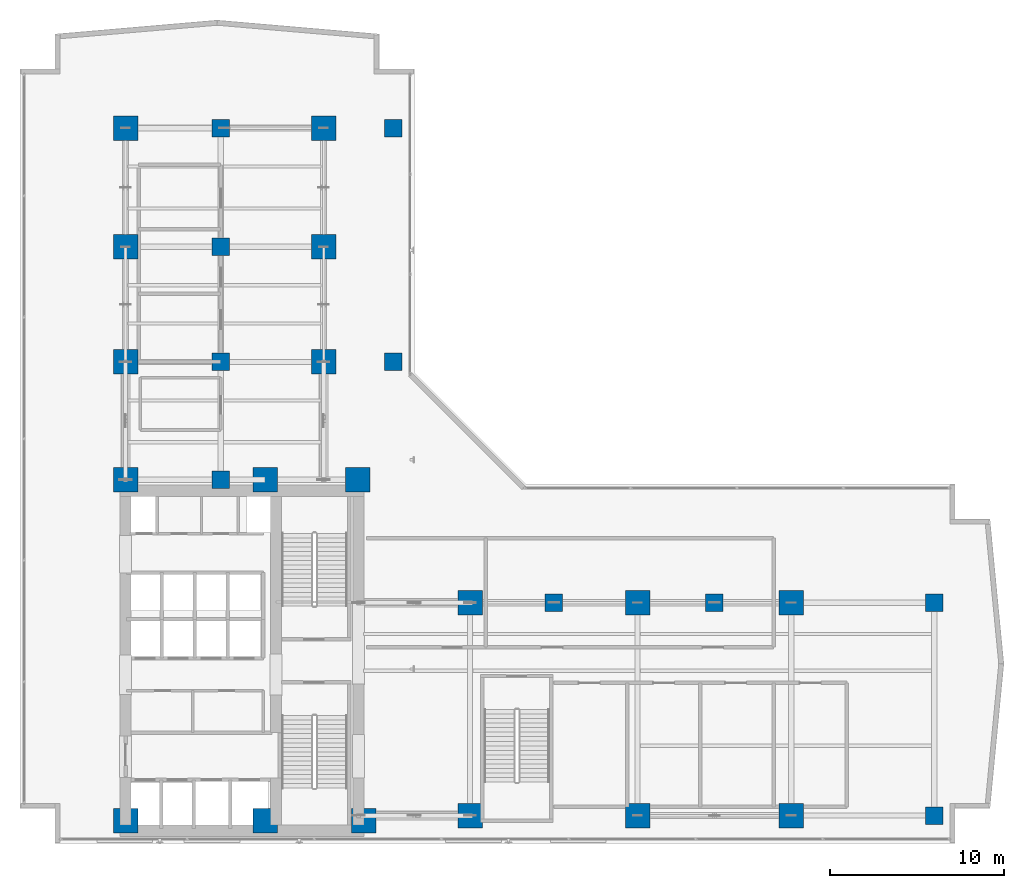
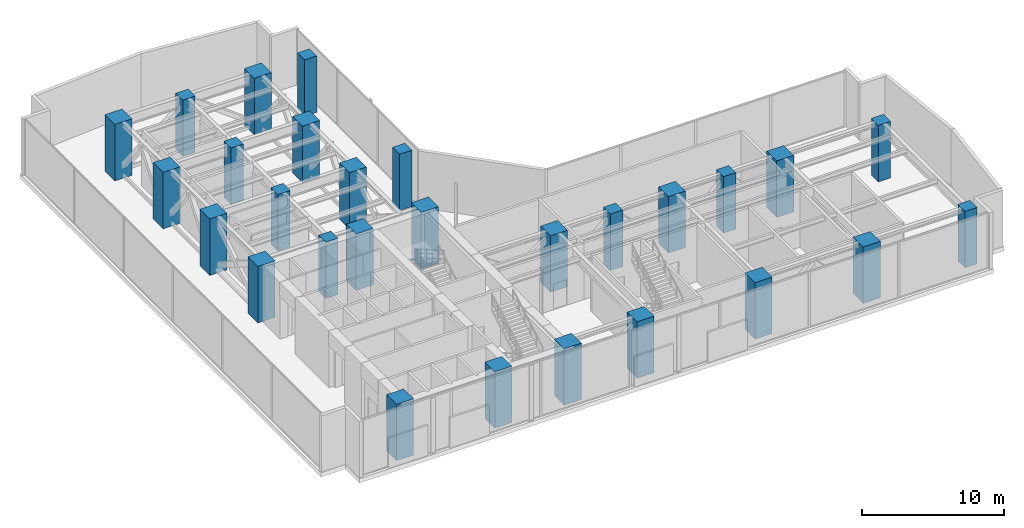
# One storey, part 1 of 37: 28 columns.
"""IFC4 building model written with IfcOpenShell, lengths in metres."""

import ifcopenshell
import ifcopenshell.guid

model = None  # the IFC model being written
_history = None  # IfcOwnerHistory: only IFC2X3 demands one
_inside = {}  # id of a spatial element -> (the spatial element, [elements in it])
_under = {}  # id of a project, library or spatial element -> (it, [spatial elements below it])
_declared = {}  # id of a project -> (the project, [libraries it declares])
_typed = {}  # id of a type object -> (the type object, [elements of that type])
_made_of = {}  # id of a material, layer set ... -> (it, [elements and type objects made of it])


def new_model(schema):
    """Start an empty IFC model of exactly this schema.

    Asked for "IFC4X3", IfcOpenShell would pick the latest addendum, in which some entities
    have other attributes; the version numbers below select the first issue.
    IFC2X3 requires an IfcOwnerHistory on every rooted entity: one is made here for all.
    """
    global model, _history
    if schema == "IFC4X3":
        model = ifcopenshell.file(schema_version=(4, 3, 0, 0))
    else:
        model = ifcopenshell.file(schema=schema)
    _inside.clear()
    _under.clear()
    _declared.clear()
    _typed.clear()
    _made_of.clear()
    _history = None
    if model.schema == "IFC2X3":
        org = make("IfcOrganization", Name="unknown")
        user = make(
            "IfcPersonAndOrganization",
            ThePerson=make("IfcPerson", FamilyName="unknown"),
            TheOrganization=org,
        )
        app = make(
            "IfcApplication",
            ApplicationDeveloper=org,
            Version="unknown",
            ApplicationFullName="unknown",
            ApplicationIdentifier="unknown",
        )
        _history = make(
            "IfcOwnerHistory",
            OwningUser=user,
            OwningApplication=app,
            ChangeAction="ADDED",
            CreationDate=0,
        )
    return model


def make(cls, **values):
    """One entity of the class cls with the attributes given. An attribute that is None is left unset."""
    return model.create_entity(
        cls, **{name: value for name, value in values.items() if value is not None}
    )


def rooted(cls, **values):
    """An entity with a GlobalId (a new one), such as an element, a storey or a relation."""
    return make(cls, GlobalId=ifcopenshell.guid.new(), OwnerHistory=_history, **values)


def si_unit(unit_type, name, prefix=None):
    """IfcSIUnit, for example si_unit("LENGTHUNIT", "METRE", prefix="MILLI")."""
    return make("IfcSIUnit", UnitType=unit_type, Prefix=prefix, Name=name)


def assignment(units):
    """IfcUnitAssignment: the units of a project."""
    return None if units is None else make("IfcUnitAssignment", Units=units)


def point(xyz):
    """IfcCartesianPoint."""
    return None if xyz is None else make("IfcCartesianPoint", Coordinates=xyz)


def direction(xyz):
    """IfcDirection."""
    return None if xyz is None else make("IfcDirection", DirectionRatios=xyz)


def frame(location, z_axis=None, x_axis=None):
    """IfcAxis2Placement3D, a coordinate frame: its origin and axes. An axis left out is left unset."""
    return make(
        "IfcAxis2Placement3D",
        Location=point(location),
        Axis=direction(z_axis),
        RefDirection=direction(x_axis),
    )


def frame_2d(location, x_axis=None):
    """IfcAxis2Placement2D, a coordinate frame in the plane: its origin and x axis."""
    return make(
        "IfcAxis2Placement2D", Location=point(location), RefDirection=direction(x_axis)
    )


def origin():
    """The frame at (0, 0, 0) with its axes left unset."""
    return frame((0.0, 0.0, 0.0))


def origin_2d():
    """The frame at (0, 0) in the plane with its x axis left unset."""
    return frame_2d((0.0, 0.0))


def place(relative_to, where):
    """IfcLocalPlacement: puts the frame where relative to a parent placement (None: the world)."""
    return make(
        "IfcLocalPlacement", PlacementRelTo=relative_to, RelativePlacement=where
    )


def context(
    kind, dimensions, precision=None, world=None, true_north=None, identifier=None
):
    """IfcGeometricRepresentationContext, for example the 3D "Model" context."""
    return make(
        "IfcGeometricRepresentationContext",
        ContextIdentifier=identifier,
        ContextType=kind,
        CoordinateSpaceDimension=dimensions,
        Precision=precision,
        WorldCoordinateSystem=world,
        TrueNorth=true_north,
    )


def subcontext(parent, identifier, kind, view, scale=None):
    """IfcGeometricRepresentationSubContext, for example "Body" below "Model"."""
    return make(
        "IfcGeometricRepresentationSubContext",
        ContextIdentifier=identifier,
        ContextType=kind,
        ParentContext=parent,
        TargetScale=scale,
        TargetView=view,
    )


def project(units=None, contexts=None):
    """IfcProject with its units and contexts."""
    return rooted(
        "IfcProject",
        Name="project",
        RepresentationContexts=contexts,
        UnitsInContext=assignment(units),
    )


def spatial(cls, under=None, at=None, **own):
    """A site, building, storey or space (cls), placed at a placement, below another one or the project."""
    s = rooted(cls, ObjectPlacement=at, **own)
    if under is not None:
        _under.setdefault(under.id(), (under, []))[1].append(s)
    return s


def profile(cls, at=None, kind="AREA", **sizes):
    """A parametric profile (cls). Its sizes go by their IFC names, for example OverallWidth=200.0."""
    return make(cls, ProfileType=kind, Position=at, **sizes)


def rectangle(**sizes):
    """IfcRectangleProfileDef."""
    return profile("IfcRectangleProfileDef", **sizes)


def extrude(swept, where, along, depth):
    """IfcExtrudedAreaSolid: the profile swept, set in the frame where, extruded along a direction by depth."""
    return make(
        "IfcExtrudedAreaSolid",
        SweptArea=swept,
        Position=where,
        ExtrudedDirection=direction(along),
        Depth=depth,
    )


def shape(context_of_items, identifier, shape_type, items):
    """IfcShapeRepresentation: the items that make up one representation, for example the "Body"."""
    return make(
        "IfcShapeRepresentation",
        ContextOfItems=context_of_items,
        RepresentationIdentifier=identifier,
        RepresentationType=shape_type,
        Items=items,
    )


def material(Name=None, Category=None):
    """IfcMaterial."""
    return make("IfcMaterial", Name=Name, Category=Category)


def material_profile(
    of_material, cross_section, Name=None, Category=None, Priority=None
):
    """IfcMaterialProfile: a cross section and its material."""
    return make(
        "IfcMaterialProfile",
        Name=Name,
        Material=of_material,
        Profile=cross_section,
        Priority=Priority,
        Category=Category,
    )


def profile_set(profiles, Name=None, composite=None):
    """IfcMaterialProfileSet."""
    return make(
        "IfcMaterialProfileSet",
        Name=Name,
        MaterialProfiles=profiles,
        CompositeProfile=composite,
    )


def made_of(thing, what):
    """Note that an element or type object is made of a material, layer set ...; save() writes the relation."""
    if what is not None:
        _made_of.setdefault(what.id(), (what, []))[1].append(thing)
    return thing


def type_object(cls, material=None, **own):
    """A type object (cls), such as IfcWallType, which elements share."""
    return made_of(rooted(cls, **own), material)


def element(
    cls,
    number,
    at=None,
    inside=None,
    cuts=None,
    type_object=None,
    material=None,
    context=None,
    identifier="Body",
    shape_type=None,
    held_by="IfcProductDefinitionShape",
    body=None,
    shapes=None,
    **own,
):
    """One element of the class cls, such as IfcWall. Its Tag is "e" and its number.

    at: its placement. inside: the storey or other place that contains it. cuts: it is an
    opening in that element (IfcRelVoidsElement). A single representation is given by context,
    identifier, shape_type and body (its items); several are given by shapes. held_by: the class
    of the entity that holds the representations. save() writes the other relations.
    """
    e = rooted(cls, Tag="e%d" % number, ObjectPlacement=at, **own)
    if body is not None:
        shapes = [shape(context, identifier, shape_type, body)]
    if shapes is not None:
        e.Representation = make(held_by, Representations=shapes)
    if inside is not None:
        _inside.setdefault(inside.id(), (inside, []))[1].append(e)
    if cuts is not None:
        rooted(
            "IfcRelVoidsElement", RelatingBuildingElement=cuts, RelatedOpeningElement=e
        )
    if type_object is not None:
        _typed.setdefault(type_object.id(), (type_object, []))[1].append(e)
    return made_of(e, material)


def aggregate(whole, parts):
    """IfcRelAggregates: a whole, such as a stair, and the parts it consists of."""
    return rooted("IfcRelAggregates", RelatingObject=whole, RelatedObjects=parts)


def save(model, path):
    """Write the relations noted so far, then the file.

    IfcRelAggregates (storeys below a building ...), IfcRelContainedInSpatialStructure (elements
    in a storey), IfcRelDefinesByType, IfcRelAssociatesMaterial and IfcRelDeclares: one each for
    every whole, place, type object, material and project.
    """
    for whole, parts in _under.values():
        aggregate(whole, parts)
    for where, things in _inside.values():
        rooted(
            "IfcRelContainedInSpatialStructure",
            RelatedElements=things,
            RelatingStructure=where,
        )
    for kind, things in _typed.values():
        rooted("IfcRelDefinesByType", RelatedObjects=things, RelatingType=kind)
    for what, things in _made_of.values():
        rooted("IfcRelAssociatesMaterial", RelatedObjects=things, RelatingMaterial=what)
    for by, libraries in _declared.values():
        rooted("IfcRelDeclares", RelatingContext=by, RelatedDefinitions=libraries)
    model.write(path)


model = new_model("IFC4")

# Units and contexts
model_context = context("Model", 3, precision=1e-05, world=origin(), true_north=direction((0.0, 1.0)))
body_context = subcontext(model_context, "Body", "Model", "MODEL_VIEW")
ifc_project = project(units=[si_unit("LENGTHUNIT", "METRE"), si_unit("AREAUNIT", "SQUARE_METRE"), si_unit("VOLUMEUNIT", "CUBIC_METRE"), si_unit("PLANEANGLEUNIT", "RADIAN"), si_unit("MASSUNIT", "GRAM", prefix="KILO")], contexts=[model_context])

# Site, building, storey
site_placement = place(None, origin())
site = spatial("IfcSite", under=ifc_project, at=site_placement, CompositionType="ELEMENT")
building_placement = place(site_placement, origin())
building = spatial("IfcBuilding", under=site, at=building_placement, Name="Kolvaren Waterfront Exchange", CompositionType="ELEMENT")
storey_placement = place(building_placement, frame((0.0, 0.0, 141.10009765625)))
storey = spatial("IfcBuildingStorey", under=building, at=storey_placement, Name="L36", CompositionType="ELEMENT", Elevation=141.10009765625)

# Columns
ifc_material = material(Name="Concrete C60/75", Category="concrete")
ifc_material_profile_1 = material_profile(ifc_material, rectangle(XDim=1.0, YDim=1.0, at=origin_2d()), Name="RC-COL-1000x1000")
ifc_profile_set_1 = profile_set([ifc_material_profile_1], Name="Concrete C60/75")
column_type_1 = type_object("IfcColumnType", Name="STR-COL-1000-C60", PredefinedType="COLUMN", material=ifc_profile_set_1)
for number, where, z_axis, x_axis, name in (
    (1, (53.800048828125, 5.199951171875, 0.0), (0.0, 0.0, 1.0), (1.0, 0.0, 0.0), "L36 column ZC01"),
    (2, (53.800048828125, 17.39990234375, 0.0), (0.0, 0.0, 1.0), (1.0, 0.0, 0.0), "L36 column ZC02"),
    (3, (22.800048828125, 31.199951171875, 0.0), (0.0, 0.0, 1.0), (1.0, 0.0, 0.0), "L36 column ZC05"),
    (4, (22.800048828125, 44.60009765625, 0.0), (0.0, 0.0, 1.0), (1.0, 0.0, 0.0), "L36 column ZC06"),
    (5, (12.89990234375, 24.449951171875, 0.0), (0.0, 0.0, 1.0), (1.0, 0.0, 0.0), "L36 column TC01"),
    (6, (12.89990234375, 31.199951171875, 0.0), (0.0, 0.0, 1.0), (1.0, 0.0, 0.0), "L36 column TC02"),
    (7, (12.89990234375, 37.800048828125, 0.0), (0.0, 0.0, 1.0), (1.0, 0.0, 0.0), "L36 column TC03"),
    (8, (12.89990234375, 44.60009765625, 0.0), (0.0, 0.0, 1.0), (1.0, 0.0, 0.0), "L36 column TC04"),
    (9, (32.0, 17.39990234375, 0.0), (0.0, 0.0, 1.0), (1.0, 0.0, 0.0), "L36 column TC05"),
    (10, (41.199951171875, 17.39990234375, 0.0), (0.0, 0.0, 1.0), (1.0, 0.0, 0.0), "L36 column TC06"),
):
    element("IfcColumn", number, at=place(storey_placement, frame(where, z_axis=z_axis, x_axis=x_axis)), inside=storey, type_object=column_type_1, Name=name, PredefinedType="COLUMN", context=body_context, shape_type="SweptSolid", body=[
        extrude(rectangle(XDim=1.0, YDim=1.0, at=origin_2d()), origin(), (0.0, 0.0, 1.0), 4.85986328125),
    ])
ifc_material_profile_2 = material_profile(ifc_material, rectangle(XDim=1.39990234375, YDim=1.39990234375, at=origin_2d()), Name="RC-COL-1400x1400")
ifc_profile_set_2 = profile_set([ifc_material_profile_2], Name="Concrete C60/75")
column_type_2 = type_object("IfcColumnType", Name="STR-COL-1400-C60", PredefinedType="COLUMN", material=ifc_profile_set_2)
for number, where, z_axis, x_axis, name in (
    (11, (7.449951171875, 4.89990234375, 0.0), (0.0, 0.0, 1.0), (1.0, 0.0, 0.0), "L36 column MC01"),
    (12, (15.449951171875, 4.89990234375, 0.0), (0.0, 0.0, 1.0), (1.0, 0.0, 0.0), "L36 column MC02"),
    (13, (21.10009765625, 4.89990234375, 0.0), (0.0, 0.0, 1.0), (1.0, 0.0, 0.0), "L36 column MC03"),
    (14, (7.449951171875, 24.449951171875, 0.0), (0.0, 0.0, 1.0), (1.0, 0.0, 0.0), "L36 column MC04"),
    (15, (15.449951171875, 24.449951171875, 0.0), (0.0, 0.0, 1.0), (1.0, 0.0, 0.0), "L36 column MC05"),
    (16, (20.75, 24.449951171875, 0.0), (0.0, 0.0, 1.0), (1.0, 0.0, 0.0), "L36 column MC06"),
    (17, (7.449951171875, 31.199951171875, 0.0), (0.0, 0.0, 1.0), (1.0, 0.0, 0.0), "L36 column NC01"),
    (18, (7.449951171875, 37.800048828125, 0.0), (0.0, 0.0, 1.0), (1.0, 0.0, 0.0), "L36 column NC02"),
    (19, (7.449951171875, 44.60009765625, 0.0), (0.0, 0.0, 1.0), (1.0, 0.0, 0.0), "L36 column NC03"),
    (20, (18.800048828125, 31.199951171875, 0.0), (0.0, 0.0, 1.0), (1.0, 0.0, 0.0), "L36 column NC04"),
    (21, (18.800048828125, 37.800048828125, 0.0), (0.0, 0.0, 1.0), (1.0, 0.0, 0.0), "L36 column NC05"),
    (22, (18.800048828125, 44.60009765625, 0.0), (0.0, 0.0, 1.0), (1.0, 0.0, 0.0), "L36 column NC06"),
    (23, (27.199951171875, 5.199951171875, 0.0), (0.0, 0.0, 1.0), (1.0, 0.0, 0.0), "L36 column EC01"),
    (24, (36.800048828125, 5.199951171875, 0.0), (0.0, 0.0, 1.0), (1.0, 0.0, 0.0), "L36 column EC02"),
    (25, (45.60009765625, 5.199951171875, 0.0), (0.0, 0.0, 1.0), (1.0, 0.0, 0.0), "L36 column EC03"),
    (26, (27.199951171875, 17.39990234375, 0.0), (0.0, 0.0, 1.0), (1.0, 0.0, 0.0), "L36 column EC04"),
    (27, (36.800048828125, 17.39990234375, 0.0), (0.0, 0.0, 1.0), (1.0, 0.0, 0.0), "L36 column EC05"),
    (28, (45.60009765625, 17.39990234375, 0.0), (0.0, 0.0, 1.0), (1.0, 0.0, 0.0), "L36 column EC06"),
):
    element("IfcColumn", number, at=place(storey_placement, frame(where, z_axis=z_axis, x_axis=x_axis)), inside=storey, type_object=column_type_2, Name=name, PredefinedType="COLUMN", context=body_context, shape_type="SweptSolid", body=[
        extrude(rectangle(XDim=1.39990234375, YDim=1.39990234375, at=origin_2d()), origin(), (0.0, 0.0, 1.0), 4.85986328125),
    ])

save(model, "model.ifc")
